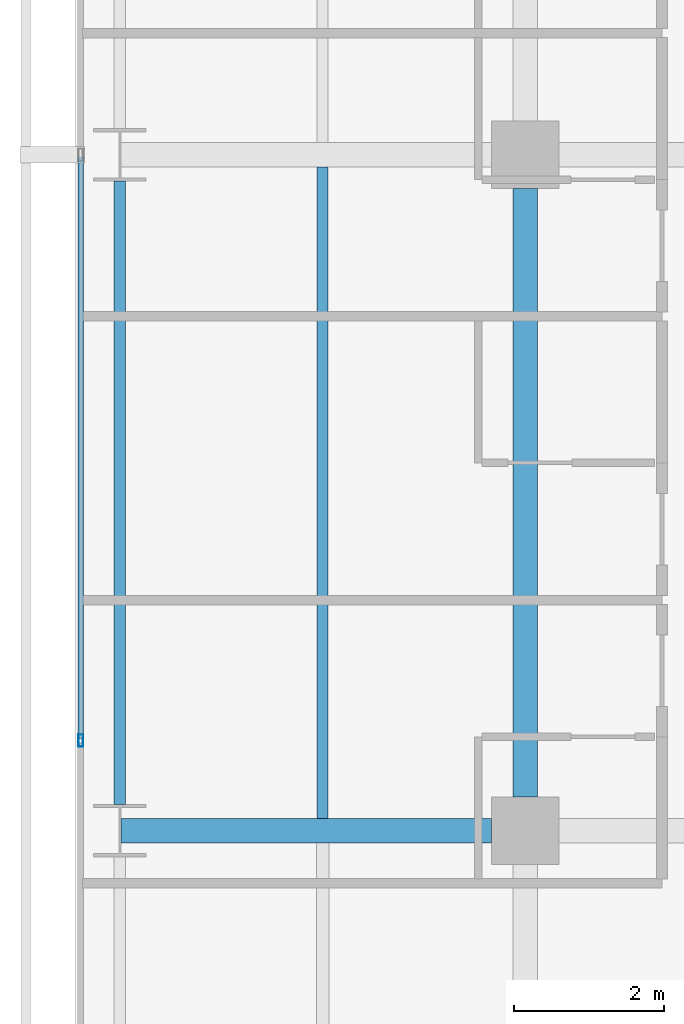
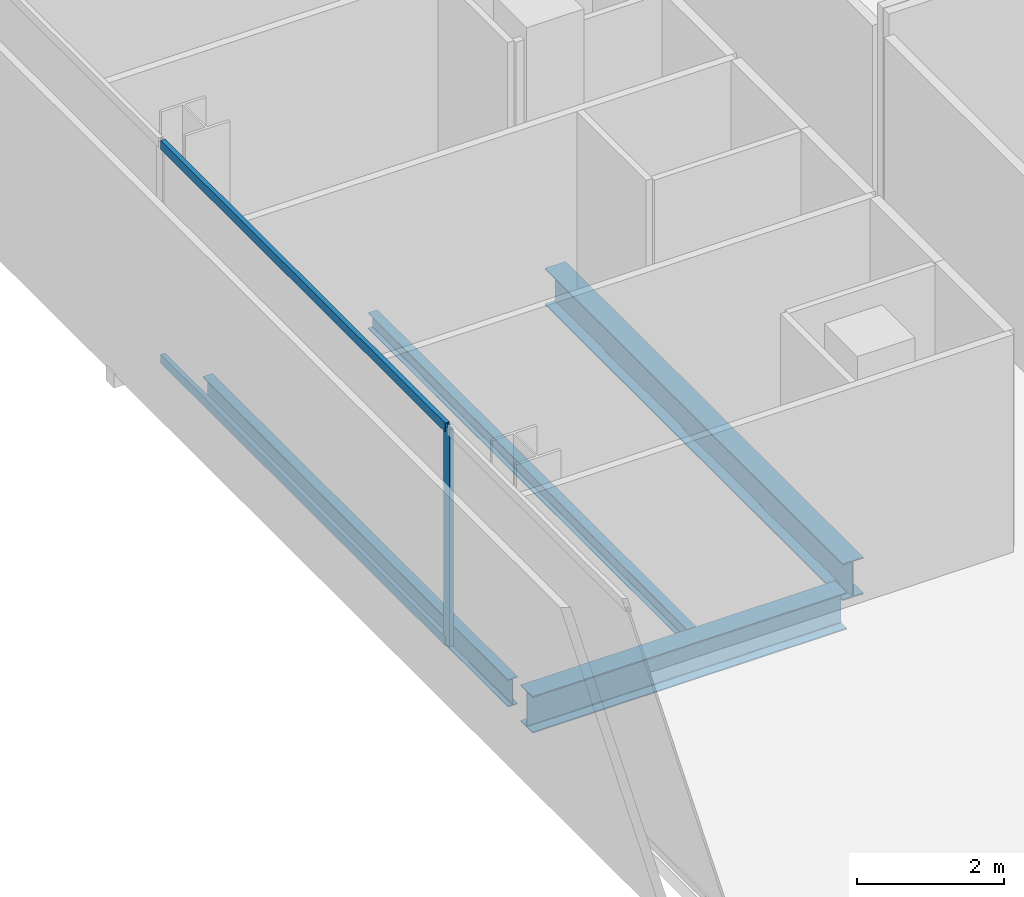
# One storey, part 10 of 40: 4 beams, 3 members, 1 element without a shape of its own.
"""IFC4 building model written with IfcOpenShell, lengths in metres."""

import ifcopenshell
import ifcopenshell.guid

model = None  # the IFC model being written
_history = None  # IfcOwnerHistory: only IFC2X3 demands one
_inside = {}  # id of a spatial element -> (the spatial element, [elements in it])
_under = {}  # id of a project, library or spatial element -> (it, [spatial elements below it])
_declared = {}  # id of a project -> (the project, [libraries it declares])
_typed = {}  # id of a type object -> (the type object, [elements of that type])
_made_of = {}  # id of a material, layer set ... -> (it, [elements and type objects made of it])


def new_model(schema):
    """Start an empty IFC model of exactly this schema.

    Asked for "IFC4X3", IfcOpenShell would pick the latest addendum, in which some entities
    have other attributes; the version numbers below select the first issue.
    IFC2X3 requires an IfcOwnerHistory on every rooted entity: one is made here for all.
    """
    global model, _history
    if schema == "IFC4X3":
        model = ifcopenshell.file(schema_version=(4, 3, 0, 0))
    else:
        model = ifcopenshell.file(schema=schema)
    _inside.clear()
    _under.clear()
    _declared.clear()
    _typed.clear()
    _made_of.clear()
    _history = None
    if model.schema == "IFC2X3":
        org = make("IfcOrganization", Name="unknown")
        user = make(
            "IfcPersonAndOrganization",
            ThePerson=make("IfcPerson", FamilyName="unknown"),
            TheOrganization=org,
        )
        app = make(
            "IfcApplication",
            ApplicationDeveloper=org,
            Version="unknown",
            ApplicationFullName="unknown",
            ApplicationIdentifier="unknown",
        )
        _history = make(
            "IfcOwnerHistory",
            OwningUser=user,
            OwningApplication=app,
            ChangeAction="ADDED",
            CreationDate=0,
        )
    return model


def make(cls, **values):
    """One entity of the class cls with the attributes given. An attribute that is None is left unset."""
    return model.create_entity(
        cls, **{name: value for name, value in values.items() if value is not None}
    )


def rooted(cls, **values):
    """An entity with a GlobalId (a new one), such as an element, a storey or a relation."""
    return make(cls, GlobalId=ifcopenshell.guid.new(), OwnerHistory=_history, **values)


def si_unit(unit_type, name, prefix=None):
    """IfcSIUnit, for example si_unit("LENGTHUNIT", "METRE", prefix="MILLI")."""
    return make("IfcSIUnit", UnitType=unit_type, Prefix=prefix, Name=name)


def assignment(units):
    """IfcUnitAssignment: the units of a project."""
    return None if units is None else make("IfcUnitAssignment", Units=units)


def point(xyz):
    """IfcCartesianPoint."""
    return None if xyz is None else make("IfcCartesianPoint", Coordinates=xyz)


def direction(xyz):
    """IfcDirection."""
    return None if xyz is None else make("IfcDirection", DirectionRatios=xyz)


def frame(location, z_axis=None, x_axis=None):
    """IfcAxis2Placement3D, a coordinate frame: its origin and axes. An axis left out is left unset."""
    return make(
        "IfcAxis2Placement3D",
        Location=point(location),
        Axis=direction(z_axis),
        RefDirection=direction(x_axis),
    )


def frame_2d(location, x_axis=None):
    """IfcAxis2Placement2D, a coordinate frame in the plane: its origin and x axis."""
    return make(
        "IfcAxis2Placement2D", Location=point(location), RefDirection=direction(x_axis)
    )


def origin():
    """The frame at (0, 0, 0) with its axes left unset."""
    return frame((0.0, 0.0, 0.0))


def origin_2d():
    """The frame at (0, 0) in the plane with its x axis left unset."""
    return frame_2d((0.0, 0.0))


def place(relative_to, where):
    """IfcLocalPlacement: puts the frame where relative to a parent placement (None: the world)."""
    return make(
        "IfcLocalPlacement", PlacementRelTo=relative_to, RelativePlacement=where
    )


def context(
    kind, dimensions, precision=None, world=None, true_north=None, identifier=None
):
    """IfcGeometricRepresentationContext, for example the 3D "Model" context."""
    return make(
        "IfcGeometricRepresentationContext",
        ContextIdentifier=identifier,
        ContextType=kind,
        CoordinateSpaceDimension=dimensions,
        Precision=precision,
        WorldCoordinateSystem=world,
        TrueNorth=true_north,
    )


def subcontext(parent, identifier, kind, view, scale=None):
    """IfcGeometricRepresentationSubContext, for example "Body" below "Model"."""
    return make(
        "IfcGeometricRepresentationSubContext",
        ContextIdentifier=identifier,
        ContextType=kind,
        ParentContext=parent,
        TargetScale=scale,
        TargetView=view,
    )


def project(units=None, contexts=None):
    """IfcProject with its units and contexts."""
    return rooted(
        "IfcProject",
        Name="project",
        RepresentationContexts=contexts,
        UnitsInContext=assignment(units),
    )


def spatial(cls, under=None, at=None, **own):
    """A site, building, storey or space (cls), placed at a placement, below another one or the project."""
    s = rooted(cls, ObjectPlacement=at, **own)
    if under is not None:
        _under.setdefault(under.id(), (under, []))[1].append(s)
    return s


def profile(cls, at=None, kind="AREA", **sizes):
    """A parametric profile (cls). Its sizes go by their IFC names, for example OverallWidth=200.0."""
    return make(cls, ProfileType=kind, Position=at, **sizes)


def hollow_rectangle(**sizes):
    """IfcRectangleHollowProfileDef."""
    return profile("IfcRectangleHollowProfileDef", **sizes)


def i_section(**sizes):
    """IfcIShapeProfileDef."""
    return profile("IfcIShapeProfileDef", **sizes)


def extrude(swept, where, along, depth):
    """IfcExtrudedAreaSolid: the profile swept, set in the frame where, extruded along a direction by depth."""
    return make(
        "IfcExtrudedAreaSolid",
        SweptArea=swept,
        Position=where,
        ExtrudedDirection=direction(along),
        Depth=depth,
    )


def shape(context_of_items, identifier, shape_type, items):
    """IfcShapeRepresentation: the items that make up one representation, for example the "Body"."""
    return make(
        "IfcShapeRepresentation",
        ContextOfItems=context_of_items,
        RepresentationIdentifier=identifier,
        RepresentationType=shape_type,
        Items=items,
    )


def material(Name=None, Category=None):
    """IfcMaterial."""
    return make("IfcMaterial", Name=Name, Category=Category)


def layer(
    of_material, thickness, ventilated=None, Name=None, Category=None, Priority=None
):
    """IfcMaterialLayer: one layer of a wall or slab, of a material (None: an air gap)."""
    return make(
        "IfcMaterialLayer",
        Material=of_material,
        LayerThickness=thickness,
        IsVentilated=ventilated,
        Name=Name,
        Category=Category,
        Priority=Priority,
    )


def layer_set(layers, Name=None):
    """IfcMaterialLayerSet."""
    return make("IfcMaterialLayerSet", MaterialLayers=layers, LayerSetName=Name)


def material_profile(
    of_material, cross_section, Name=None, Category=None, Priority=None
):
    """IfcMaterialProfile: a cross section and its material."""
    return make(
        "IfcMaterialProfile",
        Name=Name,
        Material=of_material,
        Profile=cross_section,
        Priority=Priority,
        Category=Category,
    )


def profile_set(profiles, Name=None, composite=None):
    """IfcMaterialProfileSet."""
    return make(
        "IfcMaterialProfileSet",
        Name=Name,
        MaterialProfiles=profiles,
        CompositeProfile=composite,
    )


def made_of(thing, what):
    """Note that an element or type object is made of a material, layer set ...; save() writes the relation."""
    if what is not None:
        _made_of.setdefault(what.id(), (what, []))[1].append(thing)
    return thing


def type_object(cls, material=None, **own):
    """A type object (cls), such as IfcWallType, which elements share."""
    return made_of(rooted(cls, **own), material)


def element(
    cls,
    number,
    at=None,
    inside=None,
    cuts=None,
    type_object=None,
    material=None,
    context=None,
    identifier="Body",
    shape_type=None,
    held_by="IfcProductDefinitionShape",
    body=None,
    shapes=None,
    **own,
):
    """One element of the class cls, such as IfcWall. Its Tag is "e" and its number.

    at: its placement. inside: the storey or other place that contains it. cuts: it is an
    opening in that element (IfcRelVoidsElement). A single representation is given by context,
    identifier, shape_type and body (its items); several are given by shapes. held_by: the class
    of the entity that holds the representations. save() writes the other relations.
    """
    e = rooted(cls, Tag="e%d" % number, ObjectPlacement=at, **own)
    if body is not None:
        shapes = [shape(context, identifier, shape_type, body)]
    if shapes is not None:
        e.Representation = make(held_by, Representations=shapes)
    if inside is not None:
        _inside.setdefault(inside.id(), (inside, []))[1].append(e)
    if cuts is not None:
        rooted(
            "IfcRelVoidsElement", RelatingBuildingElement=cuts, RelatedOpeningElement=e
        )
    if type_object is not None:
        _typed.setdefault(type_object.id(), (type_object, []))[1].append(e)
    return made_of(e, material)


def aggregate(whole, parts):
    """IfcRelAggregates: a whole, such as a stair, and the parts it consists of."""
    return rooted("IfcRelAggregates", RelatingObject=whole, RelatedObjects=parts)


def save(model, path):
    """Write the relations noted so far, then the file.

    IfcRelAggregates (storeys below a building ...), IfcRelContainedInSpatialStructure (elements
    in a storey), IfcRelDefinesByType, IfcRelAssociatesMaterial and IfcRelDeclares: one each for
    every whole, place, type object, material and project.
    """
    for whole, parts in _under.values():
        aggregate(whole, parts)
    for where, things in _inside.values():
        rooted(
            "IfcRelContainedInSpatialStructure",
            RelatedElements=things,
            RelatingStructure=where,
        )
    for kind, things in _typed.values():
        rooted("IfcRelDefinesByType", RelatedObjects=things, RelatingType=kind)
    for what, things in _made_of.values():
        rooted("IfcRelAssociatesMaterial", RelatedObjects=things, RelatingMaterial=what)
    for by, libraries in _declared.values():
        rooted("IfcRelDeclares", RelatingContext=by, RelatedDefinitions=libraries)
    model.write(path)


model = new_model("IFC4")

# Units and contexts
model_context = context("Model", 3, precision=1e-05, world=origin(), true_north=direction((0.0, 1.0)))
body_context = subcontext(model_context, "Body", "Model", "MODEL_VIEW")
ifc_project = project(units=[si_unit("LENGTHUNIT", "METRE"), si_unit("AREAUNIT", "SQUARE_METRE"), si_unit("VOLUMEUNIT", "CUBIC_METRE"), si_unit("PLANEANGLEUNIT", "RADIAN"), si_unit("MASSUNIT", "GRAM", prefix="KILO")], contexts=[model_context])

# Site, building, storey
site_placement = place(None, origin())
site = spatial("IfcSite", under=ifc_project, at=site_placement, CompositionType="ELEMENT")
building_placement = place(site_placement, origin())
building = spatial("IfcBuilding", under=site, at=building_placement, Name="Maruvema Waterfront Hotel and Observation Tower", CompositionType="ELEMENT")
storey_placement = place(building_placement, frame((0.0, 0.0, 100.10009765625)))
storey = spatial("IfcBuildingStorey", under=building, at=storey_placement, Name="L24", CompositionType="ELEMENT", Elevation=100.10009765625)

# Curtain wall, members
ifc_material_1 = material(Name="Anodised bronze aluminium and solar-control low-E IGU", Category="aluminium")
ifc_layer = layer(ifc_material_1, 0.159912109375, Name="Zone 1 Bronze Inner Thermal Curtain Wall System CW-02")
ifc_layer_set = layer_set([ifc_layer], Name="Anodised bronze aluminium and solar-control low-E IGU")
curtain_wall_type = type_object("IfcCurtainWallType", Name="Zone 1 Bronze Inner Thermal Curtain Wall System CW-02", PredefinedType="USERDEFINED", material=ifc_layer_set)
curtain_wall_placement = place(storey_placement, origin())
curtain_wall = element("IfcCurtainWall", 1, at=curtain_wall_placement, inside=storey, type_object=curtain_wall_type, Name="L24 Curtain Wall CW-L24-W", ObjectType="UNITISED CURTAIN WALL", PredefinedType="USERDEFINED")
ifc_material_2 = material(Name="Anodised architectural bronze aluminium", Category="aluminium")
ifc_material_profile_1 = material_profile(ifc_material_2, hollow_rectangle(XDim=0.070068359375, YDim=0.14990234375, WallThickness=0.00390625, at=origin_2d()), Name="ALU-T70x150")
ifc_profile_set_1 = profile_set([ifc_material_profile_1], Name="Anodised architectural bronze aluminium")
member_type_1 = type_object("IfcMemberType", Name="Curtain Wall Horizontal Transom ALU-T70x150", PredefinedType="USERDEFINED", material=ifc_profile_set_1)
member_1_placement = place(storey_placement, frame((10.8798828125, 26.969970703125, 0.02978515625), z_axis=(0.0, -1.0, 0.0), x_axis=(1.0, 0.0, 0.0)))
member_1 = element("IfcMember", 2, at=member_1_placement, type_object=member_type_1, Name="CW-02 transom 4.1", ObjectType="TRANSOM", PredefinedType="USERDEFINED", context=body_context, shape_type="SweptSolid", body=[
    extrude(hollow_rectangle(XDim=0.070068359375, YDim=0.14990234375, WallThickness=0.00390625, at=origin_2d()), origin(), (0.0, 0.0, 1.0), 7.739990234375),
])
member_2_placement = place(storey_placement, frame((10.8798828125, 26.969970703125, 3.579833984375), z_axis=(0.0, -1.0, 0.0), x_axis=(1.0, 0.0, 0.0)))
member_2 = element("IfcMember", 3, at=member_2_placement, type_object=member_type_1, Name="CW-02 transom 4.2", ObjectType="TRANSOM", PredefinedType="USERDEFINED", context=body_context, shape_type="SweptSolid", body=[
    extrude(hollow_rectangle(XDim=0.070068359375, YDim=0.14990234375, WallThickness=0.00390625, at=origin_2d()), origin(), (0.0, 0.0, 1.0), 7.739990234375),
])
ifc_material_3 = material(Name="Anodised architectural bronze aluminium", Category="aluminium")
ifc_material_profile_2 = material_profile(ifc_material_3, hollow_rectangle(XDim=0.06494140625, YDim=0.1650390625, WallThickness=0.00390625, at=origin_2d()), Name="ALU-M65x165")
ifc_profile_set_2 = profile_set([ifc_material_profile_2], Name="Anodised architectural bronze aluminium")
member_type_2 = type_object("IfcMemberType", Name="Curtain Wall Primary Mullion ALU-M65x165", PredefinedType="MULLION", material=ifc_profile_set_2)
member_3_placement = place(storey_placement, frame((10.8798828125, 19.199951171875, 0.0), z_axis=(0.0, 0.0, 1.0), x_axis=(1.0, 0.0, 0.0)))
member_3 = element("IfcMember", 4, at=member_3_placement, type_object=member_type_2, Name="CW-02 mullion 5", PredefinedType="MULLION", context=body_context, shape_type="SweptSolid", body=[
    extrude(hollow_rectangle(XDim=0.06494140625, YDim=0.1650390625, WallThickness=0.00390625, at=origin_2d()), origin(), (0.0, 0.0, 1.0), 3.60986328125),
])
aggregate(curtain_wall, [member_3, member_1, member_2])

# Beams
ifc_material_4 = material(Name="Steel ASTM A572 Grade 50", Category="steel")
ifc_material_profile_3 = material_profile(ifc_material_4, i_section(OverallWidth=0.153076171875, OverallDepth=0.455078125, WebThickness=0.008056640625, FlangeThickness=0.01318359375, FilletRadius=0.014892578125, at=origin_2d()), Name="W460x60.0")
ifc_profile_set_3 = profile_set([ifc_material_profile_3], Name="Steel ASTM A572 Grade 50")
beam_type_1 = type_object("IfcBeamType", Name="Perimeter Spandrel Beam W460x60.0", PredefinedType="SPANDREL", material=ifc_profile_set_3)
beam_1_placement = place(storey_placement, frame((11.39990234375, 18.35009765625, -0.467529296875), z_axis=(0.0, 1.0, 0.0), x_axis=(-1.0, 0.0, 0.0)))
element("IfcBeam", 5, at=beam_1_placement, inside=storey, type_object=beam_type_1, Name="L24 Floor Girder NS-02", PredefinedType="SPANDREL", context=body_context, shape_type="SweptSolid", body=[
    extrude(i_section(OverallWidth=0.153076171875, OverallDepth=0.455078125, WebThickness=0.008056640625, FlangeThickness=0.01318359375, FilletRadius=0.014892578125, at=origin_2d()), origin(), (0.0, 0.0, 1.0), 8.2998046875),
])
ifc_material_5 = material(Name="Steel ASTM A572 Grade 50", Category="steel")
ifc_material_profile_4 = material_profile(ifc_material_5, i_section(OverallWidth=0.323974609375, OverallDepth=0.611083984375, WebThickness=0.0126953125, FlangeThickness=0.01904296875, FilletRadius=0.01806640625, at=origin_2d()), Name="W610x155.0")
ifc_profile_set_4 = profile_set([ifc_material_profile_4], Name="Steel ASTM A572 Grade 50")
beam_type_2 = type_object("IfcBeamType", Name="Primary Floor Girder W610x155.0", PredefinedType="BEAM", material=ifc_profile_set_4)
beam_2_placement = place(storey_placement, frame((11.4140625, 18.0, -0.545654296875), z_axis=(1.0, 0.0, 0.0), x_axis=(0.0, 1.0, 0.0)))
element("IfcBeam", 6, at=beam_2_placement, inside=storey, type_object=beam_type_2, Name="L24 Floor Girder EW-13", PredefinedType="BEAM", context=body_context, shape_type="SweptSolid", body=[
    extrude(i_section(OverallWidth=0.323974609375, OverallDepth=0.611083984375, WebThickness=0.0126953125, FlangeThickness=0.01904296875, FilletRadius=0.01806640625, at=origin_2d()), origin(), (0.0, 0.0, 1.0), 4.93603515625),
])
beam_3_placement = place(storey_placement, frame((16.800048828125, 18.449951171875, -0.545654296875), z_axis=(0.0, 1.0, 0.0), x_axis=(-1.0, 0.0, 0.0)))
element("IfcBeam", 7, at=beam_3_placement, inside=storey, type_object=beam_type_2, Name="L24 Floor Girder NS-07", PredefinedType="BEAM", context=body_context, shape_type="SweptSolid", body=[
    extrude(i_section(OverallWidth=0.323974609375, OverallDepth=0.611083984375, WebThickness=0.0126953125, FlangeThickness=0.01904296875, FilletRadius=0.01806640625, at=origin_2d()), origin(), (0.0, 0.0, 1.0), 8.10009765625),
])
ifc_material_6 = material(Name="Steel ASTM A572 Grade 50", Category="steel")
ifc_material_profile_5 = material_profile(ifc_material_6, i_section(OverallWidth=0.14794921875, OverallDepth=0.26611328125, WebThickness=0.007568359375, FlangeThickness=0.012939453125, FilletRadius=0.012939453125, at=origin_2d()), Name="W250x44.8")
ifc_profile_set_5 = profile_set([ifc_material_profile_5], Name="Steel ASTM A572 Grade 50")
beam_type_3 = type_object("IfcBeamType", Name="Secondary Floor Joist W250x44.8", PredefinedType="JOIST", material=ifc_profile_set_5)
beam_4_placement = place(storey_placement, frame((14.10009765625, 18.162109375, -0.373046875), z_axis=(0.0, 1.0, 0.0), x_axis=(-1.0, 0.0, 0.0)))
element("IfcBeam", 8, at=beam_4_placement, inside=storey, type_object=beam_type_3, Name="L24 Secondary Floor Joist JS-02", PredefinedType="JOIST", context=body_context, shape_type="SweptSolid", body=[
    extrude(i_section(OverallWidth=0.14794921875, OverallDepth=0.26611328125, WebThickness=0.007568359375, FlangeThickness=0.012939453125, FilletRadius=0.012939453125, at=origin_2d()), origin(), (0.0, 0.0, 1.0), 8.67578125),
])

save(model, "model.ifc")
